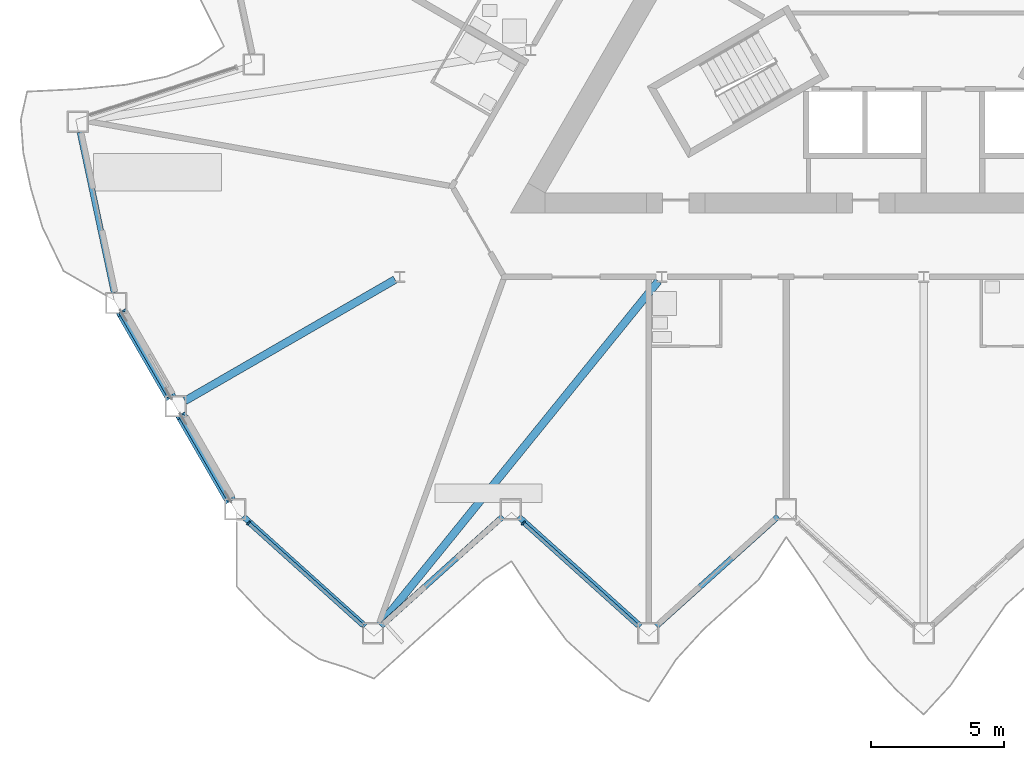
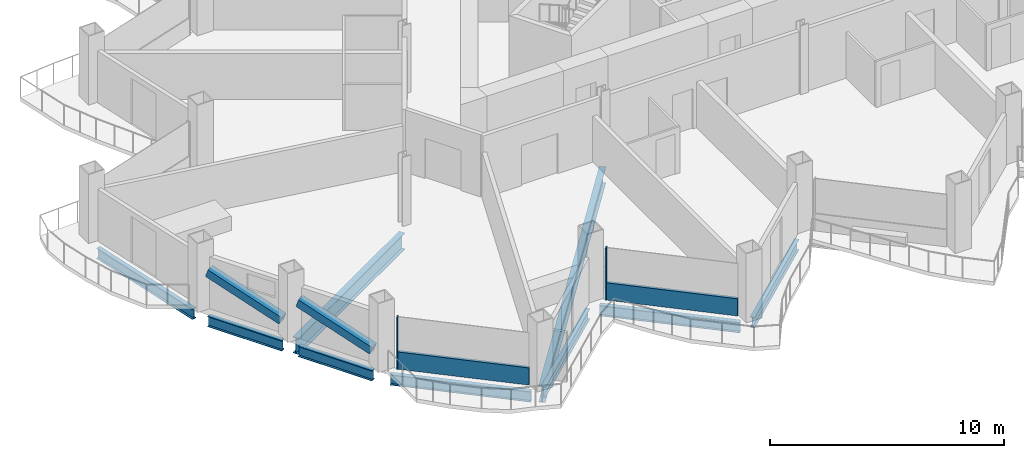
# One storey, part 3 of 23: 9 beams, 6 members, 2 elements without a shape of their own.
"""IFC4 building model written with IfcOpenShell, lengths in metres."""

import ifcopenshell
import ifcopenshell.guid

model = None  # the IFC model being written
_history = None  # IfcOwnerHistory: only IFC2X3 demands one
_inside = {}  # id of a spatial element -> (the spatial element, [elements in it])
_under = {}  # id of a project, library or spatial element -> (it, [spatial elements below it])
_declared = {}  # id of a project -> (the project, [libraries it declares])
_typed = {}  # id of a type object -> (the type object, [elements of that type])
_made_of = {}  # id of a material, layer set ... -> (it, [elements and type objects made of it])


def new_model(schema):
    """Start an empty IFC model of exactly this schema.

    Asked for "IFC4X3", IfcOpenShell would pick the latest addendum, in which some entities
    have other attributes; the version numbers below select the first issue.
    IFC2X3 requires an IfcOwnerHistory on every rooted entity: one is made here for all.
    """
    global model, _history
    if schema == "IFC4X3":
        model = ifcopenshell.file(schema_version=(4, 3, 0, 0))
    else:
        model = ifcopenshell.file(schema=schema)
    _inside.clear()
    _under.clear()
    _declared.clear()
    _typed.clear()
    _made_of.clear()
    _history = None
    if model.schema == "IFC2X3":
        org = make("IfcOrganization", Name="unknown")
        user = make(
            "IfcPersonAndOrganization",
            ThePerson=make("IfcPerson", FamilyName="unknown"),
            TheOrganization=org,
        )
        app = make(
            "IfcApplication",
            ApplicationDeveloper=org,
            Version="unknown",
            ApplicationFullName="unknown",
            ApplicationIdentifier="unknown",
        )
        _history = make(
            "IfcOwnerHistory",
            OwningUser=user,
            OwningApplication=app,
            ChangeAction="ADDED",
            CreationDate=0,
        )
    return model


def make(cls, **values):
    """One entity of the class cls with the attributes given. An attribute that is None is left unset."""
    return model.create_entity(
        cls, **{name: value for name, value in values.items() if value is not None}
    )


def rooted(cls, **values):
    """An entity with a GlobalId (a new one), such as an element, a storey or a relation."""
    return make(cls, GlobalId=ifcopenshell.guid.new(), OwnerHistory=_history, **values)


def si_unit(unit_type, name, prefix=None):
    """IfcSIUnit, for example si_unit("LENGTHUNIT", "METRE", prefix="MILLI")."""
    return make("IfcSIUnit", UnitType=unit_type, Prefix=prefix, Name=name)


def assignment(units):
    """IfcUnitAssignment: the units of a project."""
    return None if units is None else make("IfcUnitAssignment", Units=units)


def point(xyz):
    """IfcCartesianPoint."""
    return None if xyz is None else make("IfcCartesianPoint", Coordinates=xyz)


def direction(xyz):
    """IfcDirection."""
    return None if xyz is None else make("IfcDirection", DirectionRatios=xyz)


def frame(location, z_axis=None, x_axis=None):
    """IfcAxis2Placement3D, a coordinate frame: its origin and axes. An axis left out is left unset."""
    return make(
        "IfcAxis2Placement3D",
        Location=point(location),
        Axis=direction(z_axis),
        RefDirection=direction(x_axis),
    )


def frame_2d(location, x_axis=None):
    """IfcAxis2Placement2D, a coordinate frame in the plane: its origin and x axis."""
    return make(
        "IfcAxis2Placement2D", Location=point(location), RefDirection=direction(x_axis)
    )


def origin():
    """The frame at (0, 0, 0) with its axes left unset."""
    return frame((0.0, 0.0, 0.0))


def origin_2d():
    """The frame at (0, 0) in the plane with its x axis left unset."""
    return frame_2d((0.0, 0.0))


def place(relative_to, where):
    """IfcLocalPlacement: puts the frame where relative to a parent placement (None: the world)."""
    return make(
        "IfcLocalPlacement", PlacementRelTo=relative_to, RelativePlacement=where
    )


def context(
    kind, dimensions, precision=None, world=None, true_north=None, identifier=None
):
    """IfcGeometricRepresentationContext, for example the 3D "Model" context."""
    return make(
        "IfcGeometricRepresentationContext",
        ContextIdentifier=identifier,
        ContextType=kind,
        CoordinateSpaceDimension=dimensions,
        Precision=precision,
        WorldCoordinateSystem=world,
        TrueNorth=true_north,
    )


def subcontext(parent, identifier, kind, view, scale=None):
    """IfcGeometricRepresentationSubContext, for example "Body" below "Model"."""
    return make(
        "IfcGeometricRepresentationSubContext",
        ContextIdentifier=identifier,
        ContextType=kind,
        ParentContext=parent,
        TargetScale=scale,
        TargetView=view,
    )


def project(units=None, contexts=None):
    """IfcProject with its units and contexts."""
    return rooted(
        "IfcProject",
        Name="project",
        RepresentationContexts=contexts,
        UnitsInContext=assignment(units),
    )


def spatial(cls, under=None, at=None, **own):
    """A site, building, storey or space (cls), placed at a placement, below another one or the project."""
    s = rooted(cls, ObjectPlacement=at, **own)
    if under is not None:
        _under.setdefault(under.id(), (under, []))[1].append(s)
    return s


def profile(cls, at=None, kind="AREA", **sizes):
    """A parametric profile (cls). Its sizes go by their IFC names, for example OverallWidth=200.0."""
    return make(cls, ProfileType=kind, Position=at, **sizes)


def rectangle(**sizes):
    """IfcRectangleProfileDef."""
    return profile("IfcRectangleProfileDef", **sizes)


def hollow_rectangle(**sizes):
    """IfcRectangleHollowProfileDef."""
    return profile("IfcRectangleHollowProfileDef", **sizes)


def i_section(**sizes):
    """IfcIShapeProfileDef."""
    return profile("IfcIShapeProfileDef", **sizes)


def extrude(swept, where, along, depth):
    """IfcExtrudedAreaSolid: the profile swept, set in the frame where, extruded along a direction by depth."""
    return make(
        "IfcExtrudedAreaSolid",
        SweptArea=swept,
        Position=where,
        ExtrudedDirection=direction(along),
        Depth=depth,
    )


def shape(context_of_items, identifier, shape_type, items):
    """IfcShapeRepresentation: the items that make up one representation, for example the "Body"."""
    return make(
        "IfcShapeRepresentation",
        ContextOfItems=context_of_items,
        RepresentationIdentifier=identifier,
        RepresentationType=shape_type,
        Items=items,
    )


def material(Name=None, Category=None):
    """IfcMaterial."""
    return make("IfcMaterial", Name=Name, Category=Category)


def layer(
    of_material, thickness, ventilated=None, Name=None, Category=None, Priority=None
):
    """IfcMaterialLayer: one layer of a wall or slab, of a material (None: an air gap)."""
    return make(
        "IfcMaterialLayer",
        Material=of_material,
        LayerThickness=thickness,
        IsVentilated=ventilated,
        Name=Name,
        Category=Category,
        Priority=Priority,
    )


def layer_set(layers, Name=None):
    """IfcMaterialLayerSet."""
    return make("IfcMaterialLayerSet", MaterialLayers=layers, LayerSetName=Name)


def material_profile(
    of_material, cross_section, Name=None, Category=None, Priority=None
):
    """IfcMaterialProfile: a cross section and its material."""
    return make(
        "IfcMaterialProfile",
        Name=Name,
        Material=of_material,
        Profile=cross_section,
        Priority=Priority,
        Category=Category,
    )


def profile_set(profiles, Name=None, composite=None):
    """IfcMaterialProfileSet."""
    return make(
        "IfcMaterialProfileSet",
        Name=Name,
        MaterialProfiles=profiles,
        CompositeProfile=composite,
    )


def made_of(thing, what):
    """Note that an element or type object is made of a material, layer set ...; save() writes the relation."""
    if what is not None:
        _made_of.setdefault(what.id(), (what, []))[1].append(thing)
    return thing


def type_object(cls, material=None, **own):
    """A type object (cls), such as IfcWallType, which elements share."""
    return made_of(rooted(cls, **own), material)


def element(
    cls,
    number,
    at=None,
    inside=None,
    cuts=None,
    type_object=None,
    material=None,
    context=None,
    identifier="Body",
    shape_type=None,
    held_by="IfcProductDefinitionShape",
    body=None,
    shapes=None,
    **own,
):
    """One element of the class cls, such as IfcWall. Its Tag is "e" and its number.

    at: its placement. inside: the storey or other place that contains it. cuts: it is an
    opening in that element (IfcRelVoidsElement). A single representation is given by context,
    identifier, shape_type and body (its items); several are given by shapes. held_by: the class
    of the entity that holds the representations. save() writes the other relations.
    """
    e = rooted(cls, Tag="e%d" % number, ObjectPlacement=at, **own)
    if body is not None:
        shapes = [shape(context, identifier, shape_type, body)]
    if shapes is not None:
        e.Representation = make(held_by, Representations=shapes)
    if inside is not None:
        _inside.setdefault(inside.id(), (inside, []))[1].append(e)
    if cuts is not None:
        rooted(
            "IfcRelVoidsElement", RelatingBuildingElement=cuts, RelatedOpeningElement=e
        )
    if type_object is not None:
        _typed.setdefault(type_object.id(), (type_object, []))[1].append(e)
    return made_of(e, material)


def aggregate(whole, parts):
    """IfcRelAggregates: a whole, such as a stair, and the parts it consists of."""
    return rooted("IfcRelAggregates", RelatingObject=whole, RelatedObjects=parts)


def save(model, path):
    """Write the relations noted so far, then the file.

    IfcRelAggregates (storeys below a building ...), IfcRelContainedInSpatialStructure (elements
    in a storey), IfcRelDefinesByType, IfcRelAssociatesMaterial and IfcRelDeclares: one each for
    every whole, place, type object, material and project.
    """
    for whole, parts in _under.values():
        aggregate(whole, parts)
    for where, things in _inside.values():
        rooted(
            "IfcRelContainedInSpatialStructure",
            RelatedElements=things,
            RelatingStructure=where,
        )
    for kind, things in _typed.values():
        rooted("IfcRelDefinesByType", RelatedObjects=things, RelatingType=kind)
    for what, things in _made_of.values():
        rooted("IfcRelAssociatesMaterial", RelatedObjects=things, RelatingMaterial=what)
    for by, libraries in _declared.values():
        rooted("IfcRelDeclares", RelatingContext=by, RelatedDefinitions=libraries)
    model.write(path)


model = new_model("IFC4")

# Units and contexts
model_context = context("Model", 3, precision=1e-05, world=origin(), true_north=direction((0.0, 1.0)))
body_context = subcontext(model_context, "Body", "Model", "MODEL_VIEW")
ifc_project = project(units=[si_unit("LENGTHUNIT", "METRE"), si_unit("AREAUNIT", "SQUARE_METRE"), si_unit("VOLUMEUNIT", "CUBIC_METRE"), si_unit("PLANEANGLEUNIT", "RADIAN"), si_unit("MASSUNIT", "GRAM", prefix="KILO")], contexts=[model_context])

# Site, building, storey
site_placement = place(None, origin())
site = spatial("IfcSite", under=ifc_project, at=site_placement, CompositionType="ELEMENT")
building_placement = place(site_placement, origin())
building = spatial("IfcBuilding", under=site, at=building_placement, Name="Cormorant Prow Tower", CompositionType="ELEMENT")
storey_placement = place(building_placement, frame((0.0, 0.0, 208.800048828125)))
storey = spatial("IfcBuildingStorey", under=building, at=storey_placement, Name="L46", CompositionType="ELEMENT", Elevation=208.800048828125)

# Members
ifc_material_1 = material(Name="Structural steel ASTM A500 Gr C", Category="steel")
ifc_material_profile_1 = material_profile(ifc_material_1, hollow_rectangle(XDim=0.406494140625, YDim=0.406494140625, WallThickness=0.01171875, at=origin_2d()), Name="HSS16x16x1/2")
ifc_profile_set_1 = profile_set([ifc_material_profile_1], Name="Structural steel ASTM A500 Gr C")
member_type_1 = type_object("IfcMemberType", Name="Chamfer brace HSS16x16x1/2", PredefinedType="BRACE", material=ifc_profile_set_1)
member_1_placement = place(storey_placement, frame((-28.267333984375, -15.838623046875, 0.739990234375), z_axis=(-0.473992878603, 0.821006330213, 0.318244177926), x_axis=(-0.866032413668, -0.499987858329, 0.0)))
element("IfcMember", 1, at=member_1_placement, inside=storey, type_object=member_type_1, Name="Chamfer brace BR2 at WSW00 L46", PredefinedType="BRACE", context=body_context, shape_type="SweptSolid", body=[
    extrude(hollow_rectangle(XDim=0.406494140625, YDim=0.406494140625, WallThickness=0.01171875, at=origin_2d()), origin(), (0.0, 0.0, 1.0), 3.835693359375),
])
member_2_placement = place(storey_placement, frame((-26.0322265625, -19.7099609375, 0.739990234375), z_axis=(-0.474017648602, 0.820985582338, 0.318260808783), x_axis=(-0.866015628144, -0.500016931523, 0.0)))
element("IfcMember", 2, at=member_2_placement, inside=storey, type_object=member_type_1, Name="Chamfer brace BR2 at WSW01 L46", PredefinedType="BRACE", context=body_context, shape_type="SweptSolid", body=[
    extrude(hollow_rectangle(XDim=0.406494140625, YDim=0.406494140625, WallThickness=0.01171875, at=origin_2d()), origin(), (0.0, 0.0, 1.0), 3.83544921875),
])

# Curtain wall, member
ifc_material_2 = material(Name="Aluminium 6063-T6", Category="aluminium")
ifc_layer = layer(ifc_material_2, 0.179931640625)
ifc_layer_set = layer_set([ifc_layer], Name="Aluminium 6063-T6")
curtain_wall_type = type_object("IfcCurtainWallType", Name="Hotel unitised curtain wall 180", PredefinedType="NOTDEFINED", material=ifc_layer_set)
curtain_wall_1_placement = place(storey_placement, origin())
curtain_wall_1 = element("IfcCurtainWall", 3, at=curtain_wall_1_placement, inside=storey, type_object=curtain_wall_type, Name="Hotel curtain wall S00", PredefinedType="NOTDEFINED")
ifc_material_3 = material(Name="Aluminium 6063-T6", Category="aluminium")
ifc_material_profile_2 = material_profile(ifc_material_3, rectangle(XDim=0.179931640625, YDim=0.06005859375, at=origin_2d()), Name="Hotel mullion 60x180")
ifc_profile_set_2 = profile_set([ifc_material_profile_2], Name="Aluminium 6063-T6")
member_type_2 = type_object("IfcMemberType", Name="Hotel mullion 60x180", PredefinedType="MULLION", material=ifc_profile_set_2)
member_3_placement = place(storey_placement, frame((-25.333740234375, -20.5849609375, 0.0), z_axis=(0.0, 0.0, 1.0), x_axis=(0.669130701561, 0.743144739757, 0.0)))
member_3 = element("IfcMember", 4, at=member_3_placement, type_object=member_type_2, Name="Hotel mullion S00", PredefinedType="MULLION", context=body_context, shape_type="SweptSolid", body=[
    extrude(rectangle(XDim=0.179931640625, YDim=0.06005859375, at=origin_2d()), origin(), (0.0, 0.0, 1.0), 2.700927734375),
])

curtain_wall_2_placement = place(storey_placement, origin())
curtain_wall_2 = element("IfcCurtainWall", 5, at=curtain_wall_2_placement, inside=storey, type_object=curtain_wall_type, Name="Hotel curtain wall S02", PredefinedType="NOTDEFINED")
member_4_placement = place(storey_placement, frame((-15.0224609375, -20.5849609375, 0.0), z_axis=(0.0, 0.0, 1.0), x_axis=(0.669130629874, 0.743144804304, 0.0)))
member_4 = element("IfcMember", 6, at=member_4_placement, type_object=member_type_2, Name="Hotel mullion S02", PredefinedType="MULLION", context=body_context, shape_type="SweptSolid", body=[
    extrude(rectangle(XDim=0.179931640625, YDim=0.06005859375, at=origin_2d()), origin(), (0.0, 0.0, 1.0), 2.700927734375),
])

# Member
ifc_material_4 = material(Name="Terracotta", Category="masonry")
ifc_material_profile_3 = material_profile(ifc_material_4, rectangle(XDim=0.139892578125, YDim=0.89990234375, at=origin_2d()), Name="Hotel terracotta spandrel rail 140x900")
ifc_profile_set_3 = profile_set([ifc_material_profile_3], Name="Terracotta")
member_type_3 = type_object("IfcMemberType", Name="Hotel terracotta spandrel rail 140x900", PredefinedType="USERDEFINED", material=ifc_profile_set_3)
member_5_placement = place(storey_placement, frame((-25.3115234375, -20.605224609375, 0.449951171875), z_axis=(0.743152468753, -0.669122117543, 0.0), x_axis=(0.669122117543, 0.743152468753, 0.0)))
member_5 = element("IfcMember", 7, at=member_5_placement, type_object=member_type_3, Name="Hotel spandrel rail S00", ObjectType="TRANSOM", PredefinedType="USERDEFINED", context=body_context, shape_type="SweptSolid", body=[
    extrude(rectangle(XDim=0.139892578125, YDim=0.89990234375, at=origin_2d()), origin(), (0.0, 0.0, 1.0), 5.741455078125),
])

aggregate(curtain_wall_1, [member_3, member_5])

member_6_placement = place(storey_placement, frame((-15.000244140625, -20.605224609375, 0.449951171875), z_axis=(0.743152468753, -0.669122117543, 0.0), x_axis=(0.669122117543, 0.743152468753, 0.0)))
member_6 = element("IfcMember", 8, at=member_6_placement, type_object=member_type_3, Name="Hotel spandrel rail S02", ObjectType="TRANSOM", PredefinedType="USERDEFINED", context=body_context, shape_type="SweptSolid", body=[
    extrude(rectangle(XDim=0.139892578125, YDim=0.89990234375, at=origin_2d()), origin(), (0.0, 0.0, 1.0), 5.741455078125),
])

aggregate(curtain_wall_2, [member_4, member_6])

# Beams
ifc_material_5 = material(Name="Structural steel ASTM A992 Gr 50", Category="steel")
ifc_material_profile_4 = material_profile(ifc_material_5, i_section(OverallWidth=0.29296875, OverallDepth=0.845703125, WebThickness=0.015380859375, FlangeThickness=0.0244140625, at=origin_2d()), Name="W33x141")
ifc_profile_set_4 = profile_set([ifc_material_profile_4], Name="Structural steel ASTM A992 Gr 50")
beam_type_1 = type_object("IfcBeamType", Name="Radial floor beam W33x141", PredefinedType="BEAM", material=ifc_profile_set_4)
beam_1_placement = place(storey_placement, frame((-19.833251953125, -11.45068359375, -0.77294921875), z_axis=(-0.866023373109, -0.500003517217, 0.0), x_axis=(0.500003517217, -0.866023373109, 0.0)))
element("IfcBeam", 9, at=beam_1_placement, inside=storey, type_object=beam_type_1, Name="Radial floor beam FB2 5 L46", PredefinedType="BEAM", context=body_context, shape_type="SweptSolid", body=[
    extrude(i_section(OverallWidth=0.29296875, OverallDepth=0.845703125, WebThickness=0.015380859375, FlangeThickness=0.0244140625, at=origin_2d()), origin(), (0.0, 0.0, 1.0), 9.09814453125),
])
beam_2_placement = place(storey_placement, frame((-9.95654296875, -11.50732421875, -0.77294921875), z_axis=(-0.629385162657, -0.777093505974, 0.0), x_axis=(0.777093505974, -0.629385162657, 0.0)))
element("IfcBeam", 10, at=beam_2_placement, inside=storey, type_object=beam_type_1, Name="Radial floor beam FB2 6 L46", PredefinedType="BEAM", context=body_context, shape_type="SweptSolid", body=[
    extrude(i_section(OverallWidth=0.29296875, OverallDepth=0.845703125, WebThickness=0.015380859375, FlangeThickness=0.0244140625, at=origin_2d()), origin(), (0.0, 0.0, 1.0), 16.6044921875),
])
ifc_material_6 = material(Name="Structural steel ASTM A992 Gr 50", Category="steel")
ifc_material_profile_5 = material_profile(ifc_material_6, i_section(OverallWidth=0.2138671875, OverallDepth=0.549072265625, WebThickness=0.0146484375, FlangeThickness=0.023681640625, at=origin_2d()), Name="W21x93")
ifc_profile_set_5 = profile_set([ifc_material_profile_5], Name="Structural steel ASTM A992 Gr 50")
beam_type_2 = type_object("IfcBeamType", Name="Spandrel beam W21x93", PredefinedType="SPANDREL", material=ifc_profile_set_5)
beam_3_placement = place(storey_placement, frame((-25.5263671875, -20.3388671875, -0.62451171875), z_axis=(0.743155953285, -0.669118247469, 0.0), x_axis=(0.669118247469, 0.743155953285, 0.0)))
element("IfcBeam", 11, at=beam_3_placement, inside=storey, type_object=beam_type_2, Name="Spandrel beam SB2 S00-S01 L46", PredefinedType="SPANDREL", context=body_context, shape_type="SweptSolid", body=[
    extrude(i_section(OverallWidth=0.2138671875, OverallDepth=0.549072265625, WebThickness=0.0146484375, FlangeThickness=0.023681640625, at=origin_2d()), origin(), (0.0, 0.0, 1.0), 6.14990234375),
])
for number, where, z_axis, x_axis, name in (
    (12, (-20.361572265625, -24.453857421875, -0.62451171875), (0.743138178716, 0.669137988261, 0.0), (-0.669137988261, 0.743138178716, 0.0), "Spandrel beam SB2 S01-S02 L46"),
    (13, (-15.19677734375, -20.3388671875, -0.62451171875), (0.743138178716, -0.669137988261, 0.0), (0.669137988261, 0.743138178716, 0.0), "Spandrel beam SB2 S02-S03 L46"),
):
    element("IfcBeam", number, at=place(storey_placement, frame(where, z_axis=z_axis, x_axis=x_axis)), inside=storey, type_object=beam_type_2, Name=name, PredefinedType="SPANDREL", context=body_context, shape_type="SweptSolid", body=[
        extrude(i_section(OverallWidth=0.2138671875, OverallDepth=0.549072265625, WebThickness=0.0146484375, FlangeThickness=0.023681640625, at=origin_2d()), origin(), (0.0, 0.0, 1.0), 6.149658203125),
    ])
beam_4_placement = place(storey_placement, frame((-10.0322265625, -24.453857421875, -0.62451171875), z_axis=(0.743155953285, 0.669118247469, 0.0), x_axis=(-0.669118247469, 0.743155953285, 0.0)))
element("IfcBeam", 14, at=beam_4_placement, inside=storey, type_object=beam_type_2, Name="Spandrel beam SB2 S03-S04 L46", PredefinedType="SPANDREL", context=body_context, shape_type="SweptSolid", body=[
    extrude(i_section(OverallWidth=0.2138671875, OverallDepth=0.549072265625, WebThickness=0.0146484375, FlangeThickness=0.023681640625, at=origin_2d()), origin(), (0.0, 0.0, 1.0), 6.14990234375),
])
beam_5_placement = place(storey_placement, frame((-31.65576171875, -5.921630859375, -0.62451171875), z_axis=(0.207904811195, -0.978149063018, 0.0), x_axis=(0.978149063018, 0.207904811195, 0.0)))
element("IfcBeam", 15, at=beam_5_placement, inside=storey, type_object=beam_type_2, Name="Spandrel beam SB2 WNW09-WSW00 L46", PredefinedType="SPANDREL", context=body_context, shape_type="SweptSolid", body=[
    extrude(i_section(OverallWidth=0.2138671875, OverallDepth=0.549072265625, WebThickness=0.0146484375, FlangeThickness=0.023681640625, at=origin_2d()), origin(), (0.0, 0.0, 1.0), 6.149658203125),
])
for number, where, z_axis, x_axis, name in (
    (16, (-30.093994140625, -12.674560546875, -0.62451171875), (0.499994986164, -0.866028298505, 0.0), (0.866028298505, 0.499994986164, 0.0), "Spandrel beam SB2 WSW00-WSW01 L46"),
    (17, (-27.85888671875, -16.546142578125, -0.62451171875), (0.499994986164, -0.866028298505, 0.0), (0.866028298505, 0.499994986164, 0.0), "Spandrel beam SB2 WSW01-S00 L46"),
):
    element("IfcBeam", number, at=place(storey_placement, frame(where, z_axis=z_axis, x_axis=x_axis)), inside=storey, type_object=beam_type_2, Name=name, PredefinedType="SPANDREL", context=body_context, shape_type="SweptSolid", body=[
        extrude(i_section(OverallWidth=0.2138671875, OverallDepth=0.549072265625, WebThickness=0.0146484375, FlangeThickness=0.023681640625, at=origin_2d()), origin(), (0.0, 0.0, 1.0), 3.67041015625),
    ])

save(model, "model.ifc")
